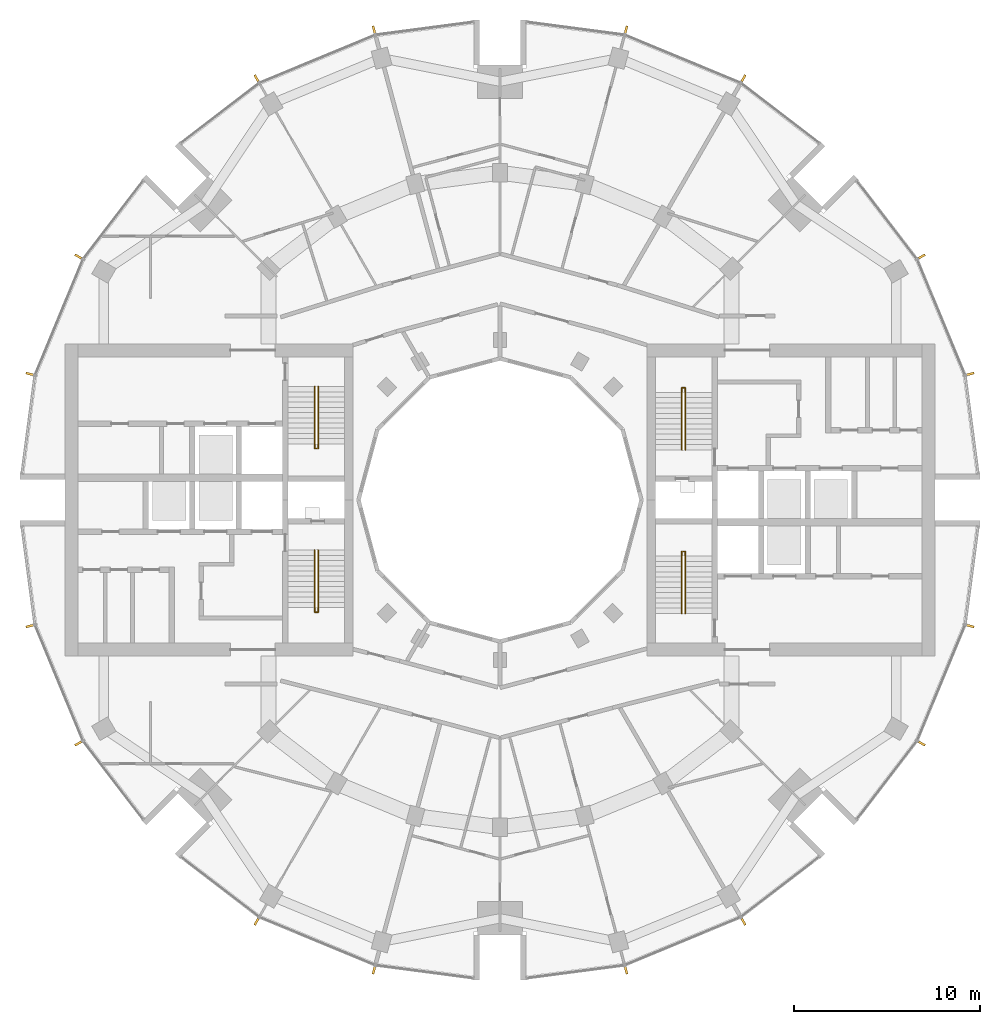
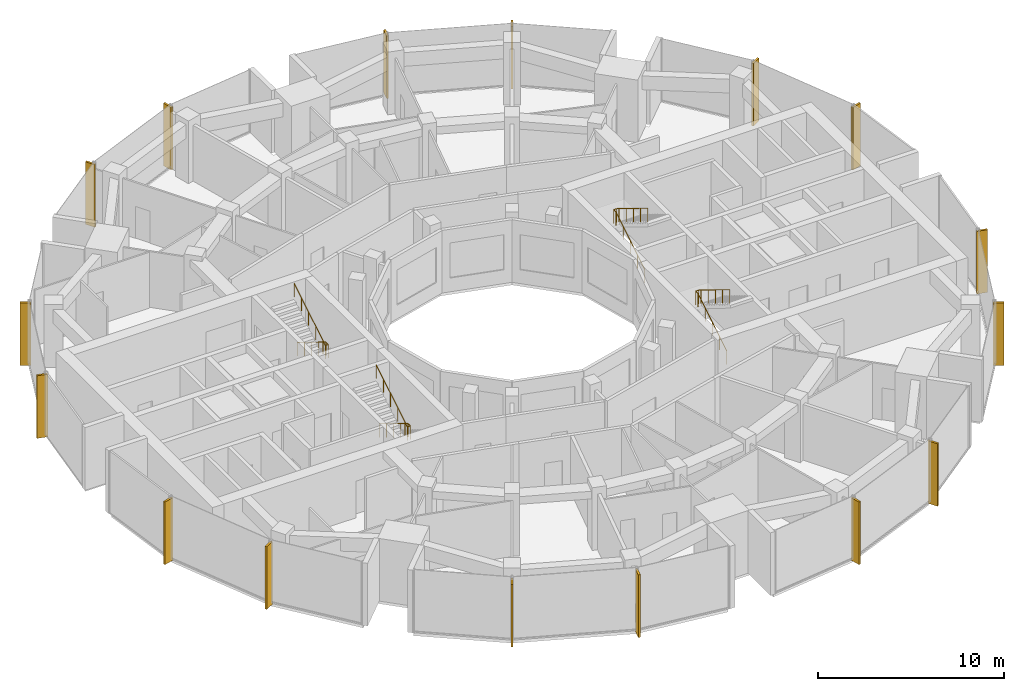
# One storey, part 14 of 15: 16 shading devices, 4 railings.
"""IFC4 building model written with IfcOpenShell, lengths in metres."""

import ifcopenshell
import ifcopenshell.guid

model = None  # the IFC model being written
_history = None  # IfcOwnerHistory: only IFC2X3 demands one
_inside = {}  # id of a spatial element -> (the spatial element, [elements in it])
_under = {}  # id of a project, library or spatial element -> (it, [spatial elements below it])
_declared = {}  # id of a project -> (the project, [libraries it declares])
_typed = {}  # id of a type object -> (the type object, [elements of that type])
_made_of = {}  # id of a material, layer set ... -> (it, [elements and type objects made of it])


def new_model(schema):
    """Start an empty IFC model of exactly this schema.

    Asked for "IFC4X3", IfcOpenShell would pick the latest addendum, in which some entities
    have other attributes; the version numbers below select the first issue.
    IFC2X3 requires an IfcOwnerHistory on every rooted entity: one is made here for all.
    """
    global model, _history
    if schema == "IFC4X3":
        model = ifcopenshell.file(schema_version=(4, 3, 0, 0))
    else:
        model = ifcopenshell.file(schema=schema)
    _inside.clear()
    _under.clear()
    _declared.clear()
    _typed.clear()
    _made_of.clear()
    _history = None
    if model.schema == "IFC2X3":
        org = make("IfcOrganization", Name="unknown")
        user = make(
            "IfcPersonAndOrganization",
            ThePerson=make("IfcPerson", FamilyName="unknown"),
            TheOrganization=org,
        )
        app = make(
            "IfcApplication",
            ApplicationDeveloper=org,
            Version="unknown",
            ApplicationFullName="unknown",
            ApplicationIdentifier="unknown",
        )
        _history = make(
            "IfcOwnerHistory",
            OwningUser=user,
            OwningApplication=app,
            ChangeAction="ADDED",
            CreationDate=0,
        )
    return model


def make(cls, **values):
    """One entity of the class cls with the attributes given. An attribute that is None is left unset."""
    return model.create_entity(
        cls, **{name: value for name, value in values.items() if value is not None}
    )


def rooted(cls, **values):
    """An entity with a GlobalId (a new one), such as an element, a storey or a relation."""
    return make(cls, GlobalId=ifcopenshell.guid.new(), OwnerHistory=_history, **values)


def si_unit(unit_type, name, prefix=None):
    """IfcSIUnit, for example si_unit("LENGTHUNIT", "METRE", prefix="MILLI")."""
    return make("IfcSIUnit", UnitType=unit_type, Prefix=prefix, Name=name)


def assignment(units):
    """IfcUnitAssignment: the units of a project."""
    return None if units is None else make("IfcUnitAssignment", Units=units)


def point(xyz):
    """IfcCartesianPoint."""
    return None if xyz is None else make("IfcCartesianPoint", Coordinates=xyz)


def direction(xyz):
    """IfcDirection."""
    return None if xyz is None else make("IfcDirection", DirectionRatios=xyz)


def frame(location, z_axis=None, x_axis=None):
    """IfcAxis2Placement3D, a coordinate frame: its origin and axes. An axis left out is left unset."""
    return make(
        "IfcAxis2Placement3D",
        Location=point(location),
        Axis=direction(z_axis),
        RefDirection=direction(x_axis),
    )


def frame_2d(location, x_axis=None):
    """IfcAxis2Placement2D, a coordinate frame in the plane: its origin and x axis."""
    return make(
        "IfcAxis2Placement2D", Location=point(location), RefDirection=direction(x_axis)
    )


def origin():
    """The frame at (0, 0, 0) with its axes left unset."""
    return frame((0.0, 0.0, 0.0))


def origin_2d():
    """The frame at (0, 0) in the plane with its x axis left unset."""
    return frame_2d((0.0, 0.0))


def place(relative_to, where):
    """IfcLocalPlacement: puts the frame where relative to a parent placement (None: the world)."""
    return make(
        "IfcLocalPlacement", PlacementRelTo=relative_to, RelativePlacement=where
    )


def context(
    kind, dimensions, precision=None, world=None, true_north=None, identifier=None
):
    """IfcGeometricRepresentationContext, for example the 3D "Model" context."""
    return make(
        "IfcGeometricRepresentationContext",
        ContextIdentifier=identifier,
        ContextType=kind,
        CoordinateSpaceDimension=dimensions,
        Precision=precision,
        WorldCoordinateSystem=world,
        TrueNorth=true_north,
    )


def subcontext(parent, identifier, kind, view, scale=None):
    """IfcGeometricRepresentationSubContext, for example "Body" below "Model"."""
    return make(
        "IfcGeometricRepresentationSubContext",
        ContextIdentifier=identifier,
        ContextType=kind,
        ParentContext=parent,
        TargetScale=scale,
        TargetView=view,
    )


def project(units=None, contexts=None):
    """IfcProject with its units and contexts."""
    return rooted(
        "IfcProject",
        Name="project",
        RepresentationContexts=contexts,
        UnitsInContext=assignment(units),
    )


def spatial(cls, under=None, at=None, **own):
    """A site, building, storey or space (cls), placed at a placement, below another one or the project."""
    s = rooted(cls, ObjectPlacement=at, **own)
    if under is not None:
        _under.setdefault(under.id(), (under, []))[1].append(s)
    return s


def profile(cls, at=None, kind="AREA", **sizes):
    """A parametric profile (cls). Its sizes go by their IFC names, for example OverallWidth=200.0."""
    return make(cls, ProfileType=kind, Position=at, **sizes)


def rectangle(**sizes):
    """IfcRectangleProfileDef."""
    return profile("IfcRectangleProfileDef", **sizes)


def circle(**sizes):
    """IfcCircleProfileDef."""
    return profile("IfcCircleProfileDef", **sizes)


def extrude(swept, where, along, depth):
    """IfcExtrudedAreaSolid: the profile swept, set in the frame where, extruded along a direction by depth."""
    return make(
        "IfcExtrudedAreaSolid",
        SweptArea=swept,
        Position=where,
        ExtrudedDirection=direction(along),
        Depth=depth,
    )


def shape(context_of_items, identifier, shape_type, items):
    """IfcShapeRepresentation: the items that make up one representation, for example the "Body"."""
    return make(
        "IfcShapeRepresentation",
        ContextOfItems=context_of_items,
        RepresentationIdentifier=identifier,
        RepresentationType=shape_type,
        Items=items,
    )


def material(Name=None, Category=None):
    """IfcMaterial."""
    return make("IfcMaterial", Name=Name, Category=Category)


def material_profile(
    of_material, cross_section, Name=None, Category=None, Priority=None
):
    """IfcMaterialProfile: a cross section and its material."""
    return make(
        "IfcMaterialProfile",
        Name=Name,
        Material=of_material,
        Profile=cross_section,
        Priority=Priority,
        Category=Category,
    )


def profile_set(profiles, Name=None, composite=None):
    """IfcMaterialProfileSet."""
    return make(
        "IfcMaterialProfileSet",
        Name=Name,
        MaterialProfiles=profiles,
        CompositeProfile=composite,
    )


def made_of(thing, what):
    """Note that an element or type object is made of a material, layer set ...; save() writes the relation."""
    if what is not None:
        _made_of.setdefault(what.id(), (what, []))[1].append(thing)
    return thing


def type_object(cls, material=None, **own):
    """A type object (cls), such as IfcWallType, which elements share."""
    return made_of(rooted(cls, **own), material)


def element(
    cls,
    number,
    at=None,
    inside=None,
    cuts=None,
    type_object=None,
    material=None,
    context=None,
    identifier="Body",
    shape_type=None,
    held_by="IfcProductDefinitionShape",
    body=None,
    shapes=None,
    **own,
):
    """One element of the class cls, such as IfcWall. Its Tag is "e" and its number.

    at: its placement. inside: the storey or other place that contains it. cuts: it is an
    opening in that element (IfcRelVoidsElement). A single representation is given by context,
    identifier, shape_type and body (its items); several are given by shapes. held_by: the class
    of the entity that holds the representations. save() writes the other relations.
    """
    e = rooted(cls, Tag="e%d" % number, ObjectPlacement=at, **own)
    if body is not None:
        shapes = [shape(context, identifier, shape_type, body)]
    if shapes is not None:
        e.Representation = make(held_by, Representations=shapes)
    if inside is not None:
        _inside.setdefault(inside.id(), (inside, []))[1].append(e)
    if cuts is not None:
        rooted(
            "IfcRelVoidsElement", RelatingBuildingElement=cuts, RelatedOpeningElement=e
        )
    if type_object is not None:
        _typed.setdefault(type_object.id(), (type_object, []))[1].append(e)
    return made_of(e, material)


def aggregate(whole, parts):
    """IfcRelAggregates: a whole, such as a stair, and the parts it consists of."""
    return rooted("IfcRelAggregates", RelatingObject=whole, RelatedObjects=parts)


def save(model, path):
    """Write the relations noted so far, then the file.

    IfcRelAggregates (storeys below a building ...), IfcRelContainedInSpatialStructure (elements
    in a storey), IfcRelDefinesByType, IfcRelAssociatesMaterial and IfcRelDeclares: one each for
    every whole, place, type object, material and project.
    """
    for whole, parts in _under.values():
        aggregate(whole, parts)
    for where, things in _inside.values():
        rooted(
            "IfcRelContainedInSpatialStructure",
            RelatedElements=things,
            RelatingStructure=where,
        )
    for kind, things in _typed.values():
        rooted("IfcRelDefinesByType", RelatedObjects=things, RelatingType=kind)
    for what, things in _made_of.values():
        rooted("IfcRelAssociatesMaterial", RelatedObjects=things, RelatingMaterial=what)
    for by, libraries in _declared.values():
        rooted("IfcRelDeclares", RelatingContext=by, RelatedDefinitions=libraries)
    model.write(path)


model = new_model("IFC4")

# Units and contexts
model_context = context("Model", 3, precision=1e-05, world=origin(), true_north=direction((0.0, 1.0)))
body_context = subcontext(model_context, "Body", "Model", "MODEL_VIEW")
ifc_project = project(units=[si_unit("LENGTHUNIT", "METRE"), si_unit("AREAUNIT", "SQUARE_METRE"), si_unit("VOLUMEUNIT", "CUBIC_METRE"), si_unit("PLANEANGLEUNIT", "RADIAN"), si_unit("MASSUNIT", "GRAM", prefix="KILO")], contexts=[model_context])

# Site, building, storey
site_placement = place(None, origin())
site = spatial("IfcSite", under=ifc_project, at=site_placement, CompositionType="ELEMENT")
building_placement = place(site_placement, origin())
building = spatial("IfcBuilding", under=site, at=building_placement, Name="Torre Brocal", CompositionType="ELEMENT")
storey_placement = place(building_placement, frame((0.0, 0.0, 198.699951171875)))
storey = spatial("IfcBuildingStorey", under=building, at=storey_placement, Name="L46", CompositionType="ELEMENT", Elevation=198.699951171875)

# Shading devices
ifc_material_1 = material(Name="Aluminium, black anodised", Category="aluminium")
ifc_material_profile = material_profile(ifc_material_1, rectangle(XDim=0.1201171875, YDim=0.60009765625, at=origin_2d()), Name="FIN 120X600 4100 HIGH")
ifc_profile_set = profile_set([ifc_material_profile], Name="Aluminium, black anodised")
shading_device_type = type_object("IfcShadingDeviceType", Name="FIN 120X600 4100 HIGH", PredefinedType="USERDEFINED", material=ifc_profile_set)
for number, where, z_axis, x_axis, name in (
    (1, (105.208984375, 81.754638671875, -0.14990234375), (0.0, 0.0, 1.0), (-0.258819045103, 0.965925826289, 0.0), "FIN"),
    (2, (102.601806640625, 88.049072265625, -0.14990234375), (0.0, 0.0, 1.0), (-0.5, 0.866025403784, 0.0), "FIN"),
    (3, (93.049072265625, 97.601806640625, -0.14990234375), (0.0, 0.0, 1.0), (-0.866025403784, 0.5, 0.0), "FIN"),
    (4, (86.754638671875, 100.208984375, -0.14990234375), (0.0, 0.0, 1.0), (-0.965925826289, 0.258819045103, 0.0), "FIN"),
    (5, (73.245361328125, 100.208984375, -0.14990234375), (0.0, 0.0, 1.0), (-0.965925826289, -0.258819045103, 0.0), "FIN"),
    (6, (66.950927734375, 97.601806640625, -0.14990234375), (0.0, 0.0, 1.0), (-0.866025403784, -0.5, 0.0), "FIN"),
    (7, (57.398193359375, 88.049072265625, -0.14990234375), (0.0, 0.0, 1.0), (-0.5, -0.866025403784, 0.0), "FIN"),
    (8, (54.791015625, 81.754638671875, -0.14990234375), (0.0, 0.0, 1.0), (-0.258819045103, -0.965925826289, 0.0), "FIN"),
    (9, (54.791015625, 68.245361328125, -0.14990234375), (0.0, 0.0, 1.0), (0.258819045103, -0.965925826289, 0.0), "FIN"),
    (10, (57.398193359375, 61.950927734375, -0.14990234375), (0.0, 0.0, 1.0), (0.5, -0.866025403784, 0.0), "FIN"),
    (11, (66.950927734375, 52.398193359375, -0.14990234375), (0.0, 0.0, 1.0), (0.866025403784, -0.5, 0.0), "FIN"),
    (12, (73.245361328125, 49.791015625, -0.14990234375), (0.0, 0.0, 1.0), (0.965925826289, -0.258819045103, 0.0), "FIN"),
    (13, (86.754638671875, 49.791015625, -0.14990234375), (0.0, 0.0, 1.0), (0.965925826289, 0.258819045103, 0.0), "FIN"),
    (14, (93.049072265625, 52.398193359375, -0.14990234375), (0.0, 0.0, 1.0), (0.866025403784, 0.5, 0.0), "FIN"),
    (15, (102.601806640625, 61.950927734375, -0.14990234375), (0.0, 0.0, 1.0), (0.5, 0.866025403784, 0.0), "FIN"),
    (16, (105.208984375, 68.245361328125, -0.14990234375), (0.0, 0.0, 1.0), (0.258819045103, 0.965925826289, 0.0), "FIN"),
):
    element("IfcShadingDevice", number, at=place(storey_placement, frame(where, z_axis=z_axis, x_axis=x_axis)), inside=storey, type_object=shading_device_type, Name=name, ObjectType="FIN", PredefinedType="USERDEFINED", context=body_context, shape_type="SweptSolid", body=[
        extrude(rectangle(XDim=0.1201171875, YDim=0.60009765625, at=origin_2d()), origin(), (0.0, 0.0, 1.0), 4.099853515625),
    ])

# Railings
ifc_material_2 = material(Name="Stainless steel AISI 316", Category="steel")
railing_type = type_object("IfcRailingType", Name="STAIR HANDRAIL", PredefinedType="HANDRAIL", material=ifc_material_2)
railing_1_placement = place(storey_placement, frame((89.780029296875, 77.699951171875, 0.1708984375)))
element("IfcRailing", 17, at=railing_1_placement, inside=storey, type_object=railing_type, Name="HANDRAIL ST1", PredefinedType="HANDRAIL", context=body_context, shape_type="SweptSolid", body=[
    extrude(circle(Radius=0.02392578125, at=origin_2d()), frame((0.0, 0.0, 0.8759765625), z_axis=(0.0, 0.853666305674, 0.52082035152), x_axis=(-1.0, 0.0, 0.0)), (0.0, 0.0, 1.0), 3.608154296875),
    extrude(circle(Radius=0.02392578125, at=origin_2d()), frame((0.0, 3.080078125, 2.7548828125), z_axis=(0.0, 1.0, 0.0), x_axis=(-1.0, 0.0, 0.0)), (0.0, 0.0, 1.0), 0.25),
    extrude(circle(Radius=0.02392578125, at=origin_2d()), frame((0.0, 3.330078125, 2.7548828125), z_axis=(1.0, 0.0, 0.0), x_axis=(0.0, 1.0, 0.0)), (0.0, 0.0, 1.0), 0.18994140625),
    extrude(circle(Radius=0.02392578125, at=origin_2d()), frame((0.18994140625, 3.330078125, 2.7548828125), z_axis=(0.0, -0.825544483742, 0.564337049433), x_axis=(1.0, 0.0, 0.0)), (0.0, 0.0, 1.0), 0.302734375),
    extrude(circle(Radius=0.02392578125, at=origin_2d()), frame((0.18994140625, 3.080078125, 2.92578125), z_axis=(0.0, -0.853666305674, 0.52082035152), x_axis=(1.0, 0.0, 0.0)), (0.0, 0.0, 1.0), 3.608154296875),
    extrude(circle(Radius=0.02099609375, at=origin_2d()), origin(), (0.0, 0.0, 1.0), 0.851806640625),
    extrude(circle(Radius=0.02099609375, at=origin_2d()), frame((0.0, 0.77001953125, 0.4697265625)), (0.0, 0.0, 1.0), 0.851806640625),
    extrude(circle(Radius=0.02099609375, at=origin_2d()), frame((0.0, 1.5400390625, 0.939453125)), (0.0, 0.0, 1.0), 0.851806640625),
    extrude(circle(Radius=0.02099609375, at=origin_2d()), frame((0.0, 2.31005859375, 1.409423828125)), (0.0, 0.0, 1.0), 0.851806640625),
    extrude(circle(Radius=0.02099609375, at=origin_2d()), frame((0.0, 3.080078125, 1.879150390625)), (0.0, 0.0, 1.0), 0.851806640625),
    extrude(circle(Radius=0.02099609375, at=origin_2d()), frame((0.0, 3.330078125, 1.879150390625)), (0.0, 0.0, 1.0), 0.851806640625),
    extrude(circle(Radius=0.02099609375, at=origin_2d()), frame((0.18994140625, 3.330078125, 1.879150390625)), (0.0, 0.0, 1.0), 0.851806640625),
    extrude(circle(Radius=0.02099609375, at=origin_2d()), frame((0.18994140625, 3.080078125, 2.050048828125)), (0.0, 0.0, 1.0), 0.851806640625),
    extrude(circle(Radius=0.02099609375, at=origin_2d()), frame((0.18994140625, 2.31005859375, 2.519775390625)), (0.0, 0.0, 1.0), 0.851806640625),
    extrude(circle(Radius=0.02099609375, at=origin_2d()), frame((0.18994140625, 1.5400390625, 2.98974609375)), (0.0, 0.0, 1.0), 0.851806640625),
    extrude(circle(Radius=0.02099609375, at=origin_2d()), frame((0.18994140625, 0.77001953125, 3.45947265625)), (0.0, 0.0, 1.0), 0.851806640625),
    extrude(circle(Radius=0.02099609375, at=origin_2d()), frame((0.18994140625, 0.0, 3.92919921875)), (0.0, 0.0, 1.0), 0.851806640625),
])
railing_2_placement = place(storey_placement, frame((89.780029296875, 68.89990234375, 0.1708984375)))
element("IfcRailing", 18, at=railing_2_placement, inside=storey, type_object=railing_type, Name="HANDRAIL ST2", PredefinedType="HANDRAIL", context=body_context, shape_type="SweptSolid", body=[
    extrude(circle(Radius=0.02392578125, at=origin_2d()), frame((0.0, 0.0, 0.8759765625), z_axis=(0.0, 0.853666305674, 0.52082035152), x_axis=(-1.0, 0.0, 0.0)), (0.0, 0.0, 1.0), 3.608154296875),
    extrude(circle(Radius=0.02392578125, at=origin_2d()), frame((0.0, 3.080078125, 2.7548828125), z_axis=(0.0, 1.0, 0.0), x_axis=(-1.0, 0.0, 0.0)), (0.0, 0.0, 1.0), 0.25),
    extrude(circle(Radius=0.02392578125, at=origin_2d()), frame((0.0, 3.330078125, 2.7548828125), z_axis=(1.0, 0.0, 0.0), x_axis=(0.0, 1.0, 0.0)), (0.0, 0.0, 1.0), 0.18994140625),
    extrude(circle(Radius=0.02392578125, at=origin_2d()), frame((0.18994140625, 3.330078125, 2.7548828125), z_axis=(0.0, -0.825544483742, 0.564337049433), x_axis=(1.0, 0.0, 0.0)), (0.0, 0.0, 1.0), 0.302734375),
    extrude(circle(Radius=0.02392578125, at=origin_2d()), frame((0.18994140625, 3.080078125, 2.92578125), z_axis=(0.0, -0.853666305674, 0.52082035152), x_axis=(1.0, 0.0, 0.0)), (0.0, 0.0, 1.0), 3.608154296875),
    extrude(circle(Radius=0.02099609375, at=origin_2d()), origin(), (0.0, 0.0, 1.0), 0.851806640625),
    extrude(circle(Radius=0.02099609375, at=origin_2d()), frame((0.0, 0.77001953125, 0.4697265625)), (0.0, 0.0, 1.0), 0.851806640625),
    extrude(circle(Radius=0.02099609375, at=origin_2d()), frame((0.0, 1.5400390625, 0.939453125)), (0.0, 0.0, 1.0), 0.851806640625),
    extrude(circle(Radius=0.02099609375, at=origin_2d()), frame((0.0, 2.31005859375, 1.409423828125)), (0.0, 0.0, 1.0), 0.851806640625),
    extrude(circle(Radius=0.02099609375, at=origin_2d()), frame((0.0, 3.080078125, 1.879150390625)), (0.0, 0.0, 1.0), 0.851806640625),
    extrude(circle(Radius=0.02099609375, at=origin_2d()), frame((0.0, 3.330078125, 1.879150390625)), (0.0, 0.0, 1.0), 0.851806640625),
    extrude(circle(Radius=0.02099609375, at=origin_2d()), frame((0.18994140625, 3.330078125, 1.879150390625)), (0.0, 0.0, 1.0), 0.851806640625),
    extrude(circle(Radius=0.02099609375, at=origin_2d()), frame((0.18994140625, 3.080078125, 2.050048828125)), (0.0, 0.0, 1.0), 0.851806640625),
    extrude(circle(Radius=0.02099609375, at=origin_2d()), frame((0.18994140625, 2.31005859375, 2.519775390625)), (0.0, 0.0, 1.0), 0.851806640625),
    extrude(circle(Radius=0.02099609375, at=origin_2d()), frame((0.18994140625, 1.5400390625, 2.98974609375)), (0.0, 0.0, 1.0), 0.851806640625),
    extrude(circle(Radius=0.02099609375, at=origin_2d()), frame((0.18994140625, 0.77001953125, 3.45947265625)), (0.0, 0.0, 1.0), 0.851806640625),
    extrude(circle(Radius=0.02099609375, at=origin_2d()), frame((0.18994140625, 0.0, 3.92919921875)), (0.0, 0.0, 1.0), 0.851806640625),
])
railing_3_placement = place(storey_placement, frame((70.219970703125, 72.300048828125, 0.1708984375)))
element("IfcRailing", 19, at=railing_3_placement, inside=storey, type_object=railing_type, Name="HANDRAIL ST3", PredefinedType="HANDRAIL", context=body_context, shape_type="SweptSolid", body=[
    extrude(circle(Radius=0.02392578125, at=origin_2d()), frame((0.0, 0.0, 0.8759765625), z_axis=(0.0, -0.853666305674, 0.52082035152), x_axis=(1.0, 0.0, 0.0)), (0.0, 0.0, 1.0), 3.608154296875),
    extrude(circle(Radius=0.02392578125, at=origin_2d()), frame((0.0, -3.080078125, 2.7548828125), z_axis=(0.0, -1.0, 0.0), x_axis=(1.0, 0.0, 0.0)), (0.0, 0.0, 1.0), 0.25),
    extrude(circle(Radius=0.02392578125, at=origin_2d()), frame((0.0, -3.330078125, 2.7548828125), z_axis=(-1.0, 0.0, 0.0), x_axis=(0.0, -1.0, 0.0)), (0.0, 0.0, 1.0), 0.18994140625),
    extrude(circle(Radius=0.02392578125, at=origin_2d()), frame((-0.18994140625, -3.330078125, 2.7548828125), z_axis=(0.0, 0.825544483742, 0.564337049433), x_axis=(-1.0, 0.0, 0.0)), (0.0, 0.0, 1.0), 0.302734375),
    extrude(circle(Radius=0.02392578125, at=origin_2d()), frame((-0.18994140625, -3.080078125, 2.92578125), z_axis=(0.0, 0.853666305674, 0.52082035152), x_axis=(-1.0, 0.0, 0.0)), (0.0, 0.0, 1.0), 3.608154296875),
    extrude(circle(Radius=0.02099609375, at=origin_2d()), origin(), (0.0, 0.0, 1.0), 0.851806640625),
    extrude(circle(Radius=0.02099609375, at=origin_2d()), frame((0.0, -0.77001953125, 0.4697265625)), (0.0, 0.0, 1.0), 0.851806640625),
    extrude(circle(Radius=0.02099609375, at=origin_2d()), frame((0.0, -1.5400390625, 0.939453125)), (0.0, 0.0, 1.0), 0.851806640625),
    extrude(circle(Radius=0.02099609375, at=origin_2d()), frame((0.0, -2.31005859375, 1.409423828125)), (0.0, 0.0, 1.0), 0.851806640625),
    extrude(circle(Radius=0.02099609375, at=origin_2d()), frame((0.0, -3.080078125, 1.879150390625)), (0.0, 0.0, 1.0), 0.851806640625),
    extrude(circle(Radius=0.02099609375, at=origin_2d()), frame((0.0, -3.330078125, 1.879150390625)), (0.0, 0.0, 1.0), 0.851806640625),
    extrude(circle(Radius=0.02099609375, at=origin_2d()), frame((-0.18994140625, -3.330078125, 1.879150390625)), (0.0, 0.0, 1.0), 0.851806640625),
    extrude(circle(Radius=0.02099609375, at=origin_2d()), frame((-0.18994140625, -3.080078125, 2.050048828125)), (0.0, 0.0, 1.0), 0.851806640625),
    extrude(circle(Radius=0.02099609375, at=origin_2d()), frame((-0.18994140625, -2.31005859375, 2.519775390625)), (0.0, 0.0, 1.0), 0.851806640625),
    extrude(circle(Radius=0.02099609375, at=origin_2d()), frame((-0.18994140625, -1.5400390625, 2.98974609375)), (0.0, 0.0, 1.0), 0.851806640625),
    extrude(circle(Radius=0.02099609375, at=origin_2d()), frame((-0.18994140625, -0.77001953125, 3.45947265625)), (0.0, 0.0, 1.0), 0.851806640625),
    extrude(circle(Radius=0.02099609375, at=origin_2d()), frame((-0.18994140625, 0.0, 3.92919921875)), (0.0, 0.0, 1.0), 0.851806640625),
])
railing_4_placement = place(storey_placement, frame((70.219970703125, 81.10009765625, 0.1708984375)))
element("IfcRailing", 20, at=railing_4_placement, inside=storey, type_object=railing_type, Name="HANDRAIL ST4", PredefinedType="HANDRAIL", context=body_context, shape_type="SweptSolid", body=[
    extrude(circle(Radius=0.02392578125, at=origin_2d()), frame((0.0, 0.0, 0.8759765625), z_axis=(0.0, -0.853666305674, 0.52082035152), x_axis=(1.0, 0.0, 0.0)), (0.0, 0.0, 1.0), 3.608154296875),
    extrude(circle(Radius=0.02392578125, at=origin_2d()), frame((0.0, -3.080078125, 2.7548828125), z_axis=(0.0, -1.0, 0.0), x_axis=(1.0, 0.0, 0.0)), (0.0, 0.0, 1.0), 0.25),
    extrude(circle(Radius=0.02392578125, at=origin_2d()), frame((0.0, -3.330078125, 2.7548828125), z_axis=(-1.0, 0.0, 0.0), x_axis=(0.0, -1.0, 0.0)), (0.0, 0.0, 1.0), 0.18994140625),
    extrude(circle(Radius=0.02392578125, at=origin_2d()), frame((-0.18994140625, -3.330078125, 2.7548828125), z_axis=(0.0, 0.825544483742, 0.564337049433), x_axis=(-1.0, 0.0, 0.0)), (0.0, 0.0, 1.0), 0.302734375),
    extrude(circle(Radius=0.02392578125, at=origin_2d()), frame((-0.18994140625, -3.080078125, 2.92578125), z_axis=(0.0, 0.853666305674, 0.52082035152), x_axis=(-1.0, 0.0, 0.0)), (0.0, 0.0, 1.0), 3.608154296875),
    extrude(circle(Radius=0.02099609375, at=origin_2d()), origin(), (0.0, 0.0, 1.0), 0.851806640625),
    extrude(circle(Radius=0.02099609375, at=origin_2d()), frame((0.0, -0.77001953125, 0.4697265625)), (0.0, 0.0, 1.0), 0.851806640625),
    extrude(circle(Radius=0.02099609375, at=origin_2d()), frame((0.0, -1.5400390625, 0.939453125)), (0.0, 0.0, 1.0), 0.851806640625),
    extrude(circle(Radius=0.02099609375, at=origin_2d()), frame((0.0, -2.31005859375, 1.409423828125)), (0.0, 0.0, 1.0), 0.851806640625),
    extrude(circle(Radius=0.02099609375, at=origin_2d()), frame((0.0, -3.080078125, 1.879150390625)), (0.0, 0.0, 1.0), 0.851806640625),
    extrude(circle(Radius=0.02099609375, at=origin_2d()), frame((0.0, -3.330078125, 1.879150390625)), (0.0, 0.0, 1.0), 0.851806640625),
    extrude(circle(Radius=0.02099609375, at=origin_2d()), frame((-0.18994140625, -3.330078125, 1.879150390625)), (0.0, 0.0, 1.0), 0.851806640625),
    extrude(circle(Radius=0.02099609375, at=origin_2d()), frame((-0.18994140625, -3.080078125, 2.050048828125)), (0.0, 0.0, 1.0), 0.851806640625),
    extrude(circle(Radius=0.02099609375, at=origin_2d()), frame((-0.18994140625, -2.31005859375, 2.519775390625)), (0.0, 0.0, 1.0), 0.851806640625),
    extrude(circle(Radius=0.02099609375, at=origin_2d()), frame((-0.18994140625, -1.5400390625, 2.98974609375)), (0.0, 0.0, 1.0), 0.851806640625),
    extrude(circle(Radius=0.02099609375, at=origin_2d()), frame((-0.18994140625, -0.77001953125, 3.45947265625)), (0.0, 0.0, 1.0), 0.851806640625),
    extrude(circle(Radius=0.02099609375, at=origin_2d()), frame((-0.18994140625, 0.0, 3.92919921875)), (0.0, 0.0, 1.0), 0.851806640625),
])

save(model, "model.ifc")
